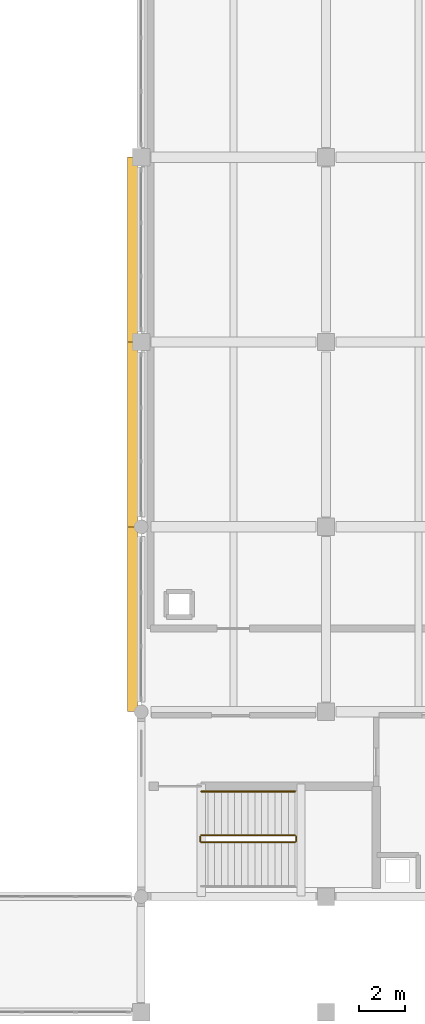
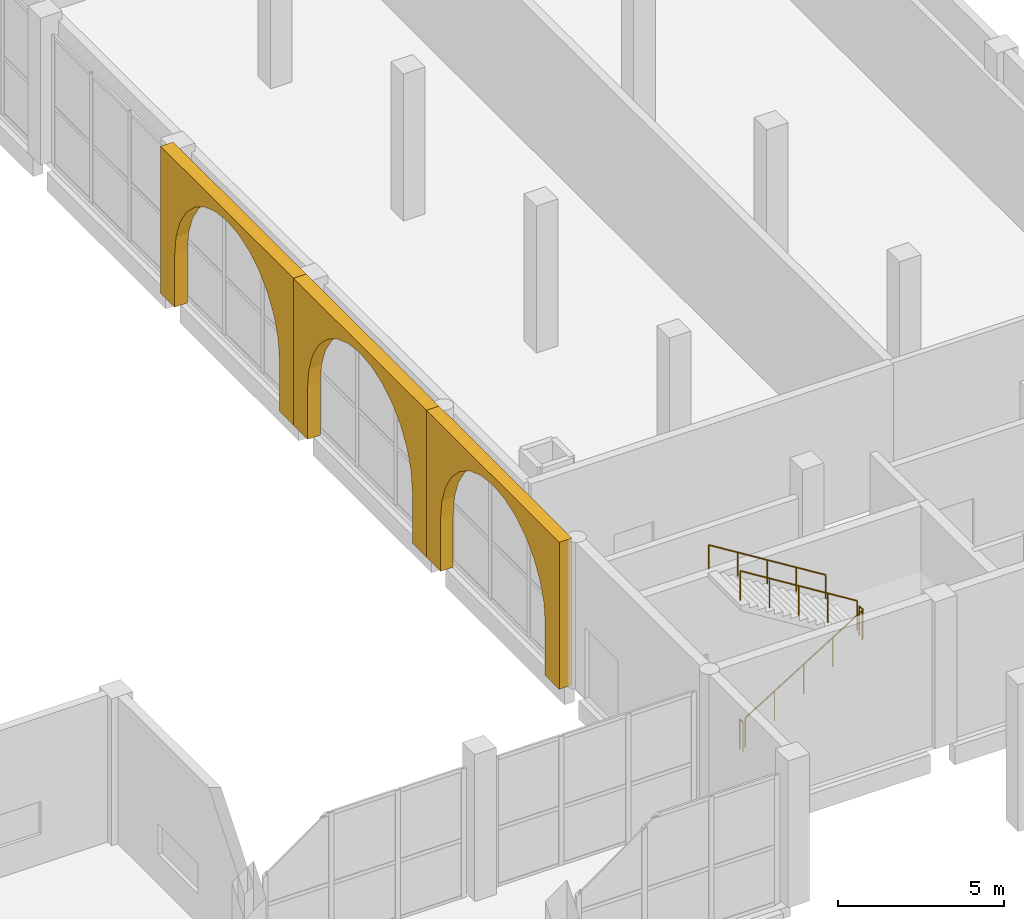
# One storey, part 37 of 40: 5 railings, 3 coverings.
"""IFC4 building model written with IfcOpenShell, lengths in metres."""

from ifc_helpers import new_model, si_unit, direction, frame, origin, origin_2d, place, context, subcontext, project, spatial, polyline, circle, outline, extrude, material, layer, layer_set, type_object, element, save


model = new_model("IFC4")

# Units and contexts
model_context = context("Model", 3, precision=1e-05, world=origin(), true_north=direction((0.0, 1.0)))
body_context = subcontext(model_context, "Body", "Model", "MODEL_VIEW")
ifc_project = project(units=[si_unit("LENGTHUNIT", "METRE"), si_unit("AREAUNIT", "SQUARE_METRE"), si_unit("VOLUMEUNIT", "CUBIC_METRE"), si_unit("PLANEANGLEUNIT", "RADIAN"), si_unit("MASSUNIT", "GRAM", prefix="KILO")], contexts=[model_context])

# Site, building, storey
site_placement = place(None, origin())
site = spatial("IfcSite", under=ifc_project, at=site_placement, CompositionType="ELEMENT")
building_placement = place(site_placement, origin())
building = spatial("IfcBuilding", under=site, at=building_placement, Name="Qorikala Patio Media Centre", CompositionType="ELEMENT")
storey_placement = place(building_placement, origin())
storey = spatial("IfcBuildingStorey", under=building, at=storey_placement, Name="L00", CompositionType="ELEMENT", Elevation=0.0)

# Coverings
ifc_material_1 = material(Name="Comanche Granite Ashlar Stone", Category="masonry")
ifc_layer = layer(ifc_material_1, 0.06005859375)
ifc_layer_set = layer_set([ifc_layer], Name="Comanche Granite Ashlar Stone")
covering_type = type_object("IfcCoveringType", Name="COV-CLAD-STONE", PredefinedType="CLADDING", material=ifc_layer_set)
for number, where, z_axis, x_axis, name in (
    (1, (50.6201171875, 72.0, 0.0), (0.0, 0.0, 1.0), (0.0, 1.0, 0.0), "Spanish Colonial Stone Arched Arcade PORT-P7"),
    (2, (50.6201171875, 80.0, 0.0), (0.0, 0.0, 1.0), (0.0, 1.0, 0.0), "Spanish Colonial Stone Arched Arcade PORT-P8"),
    (3, (50.6201171875, 88.0, 0.0), (0.0, 0.0, 1.0), (0.0, 1.0, 0.0), "Spanish Colonial Stone Arched Arcade PORT-P9"),
):
    element("IfcCovering", number, at=place(storey_placement, frame(where, z_axis=z_axis, x_axis=x_axis)), inside=storey, type_object=covering_type, Name=name, PredefinedType="CLADDING", context=body_context, shape_type="SweptSolid", body=[
        extrude(outline(polyline([(0.0, 0.0), (0.85009765625, 0.0), (0.85009765625, 1.929931640625), (0.928955078125, 2.630859375), (1.161865234375, 3.296630859375), (1.537109375, 3.893798828125), (2.035888671875, 4.392578125), (2.63330078125, 4.76806640625), (3.299072265625, 5.0009765625), (4.0, 5.079833984375), (4.700927734375, 5.0009765625), (5.36669921875, 4.76806640625), (5.964111328125, 4.392578125), (6.462890625, 3.893798828125), (6.838134765625, 3.296630859375), (7.071044921875, 2.630859375), (7.14990234375, 1.929931640625), (7.14990234375, 0.0), (8.0, 0.0), (8.0, 5.39990234375), (0.0, 5.39990234375), (0.0, 0.0)])), frame((0.0, 0.219970703125, 0.0), z_axis=(0.0, -1.0, 0.0), x_axis=(1.0, 0.0, 0.0)), (0.0, 0.0, 1.0), 0.43994140625),
    ])

# Railings
ifc_material_2 = material(Name="Wrought Bronze and Steel S355", Category="steel")
railing_type_1 = type_object("IfcRailingType", Name="RL-GUARD-110", PredefinedType="GUARDRAIL", material=ifc_material_2)
railing_1_placement = place(storey_placement, frame((53.60009765625, 66.35009765625, 0.179931640625)))
element("IfcRailing", 4, at=railing_1_placement, inside=storey, type_object=railing_type_1, Name="L00 ST-6 stair guard 1", PredefinedType="GUARDRAIL", context=body_context, shape_type="SweptSolid", body=[
    extrude(circle(Radius=0.02392578125, at=origin_2d()), frame((0.0, 0.0, 1.076171875), z_axis=(0.849627535208, 0.0, 0.527383211162), x_axis=(0.0, 1.0, 0.0)), (0.0, 0.0, 1.0), 4.7783203125),
    extrude(circle(Radius=0.02099609375, at=origin_2d()), origin(), (0.0, 0.0, 1.0), 1.052001953125),
    extrude(circle(Radius=0.02099609375, at=origin_2d()), frame((1.014892578125, 0.0, 0.6298828125)), (0.0, 0.0, 1.0), 1.052001953125),
    extrude(circle(Radius=0.02099609375, at=origin_2d()), frame((2.02978515625, 0.0, 1.260009765625)), (0.0, 0.0, 1.0), 1.052001953125),
    extrude(circle(Radius=0.02099609375, at=origin_2d()), frame((3.044921875, 0.0, 1.89013671875)), (0.0, 0.0, 1.0), 1.052001953125),
    extrude(circle(Radius=0.02099609375, at=origin_2d()), frame((4.059814453125, 0.0, 2.52001953125)), (0.0, 0.0, 1.0), 1.052001953125),
])
railing_2_placement = place(storey_placement, frame((57.7099609375, 66.39990234375, 2.699951171875)))
element("IfcRailing", 5, at=railing_2_placement, inside=storey, type_object=railing_type_1, Name="L00 ST-6 stair guard 2", PredefinedType="GUARDRAIL", context=body_context, shape_type="SweptSolid", body=[
    extrude(circle(Radius=0.02392578125, at=origin_2d()), frame((0.0, 0.0, 1.076171875), z_axis=(0.0, 1.0, 0.0), x_axis=(-1.0, 0.0, 0.0)), (0.0, 0.0, 1.0), 0.2001953125),
    extrude(circle(Radius=0.02099609375, at=origin_2d()), origin(), (0.0, 0.0, 1.0), 1.052001953125),
    extrude(circle(Radius=0.02099609375, at=origin_2d()), frame((0.0, 0.2001953125, 0.0)), (0.0, 0.0, 1.0), 1.052001953125),
])
railing_3_placement = place(storey_placement, frame((57.659912109375, 66.64990234375, 2.8798828125)))
element("IfcRailing", 6, at=railing_3_placement, inside=storey, type_object=railing_type_1, Name="L00 ST-6 stair guard 3", PredefinedType="GUARDRAIL", context=body_context, shape_type="SweptSolid", body=[
    extrude(circle(Radius=0.02392578125, at=origin_2d()), frame((0.0, 0.0, 1.076171875), z_axis=(-0.849627535208, 0.0, 0.527383211162), x_axis=(0.0, -1.0, 0.0)), (0.0, 0.0, 1.0), 4.7783203125),
    extrude(circle(Radius=0.02099609375, at=origin_2d()), origin(), (0.0, 0.0, 1.0), 1.052001953125),
    extrude(circle(Radius=0.02099609375, at=origin_2d()), frame((-1.014892578125, 0.0, 0.6298828125)), (0.0, 0.0, 1.0), 1.052001953125),
    extrude(circle(Radius=0.02099609375, at=origin_2d()), frame((-2.02978515625, 0.0, 1.260009765625)), (0.0, 0.0, 1.0), 1.052001953125),
    extrude(circle(Radius=0.02099609375, at=origin_2d()), frame((-3.044921875, 0.0, 1.89013671875)), (0.0, 0.0, 1.0), 1.052001953125),
    extrude(circle(Radius=0.02099609375, at=origin_2d()), frame((-4.059814453125, 0.0, 2.52001953125)), (0.0, 0.0, 1.0), 1.052001953125),
])
railing_4_placement = place(storey_placement, frame((53.550048828125, 66.39990234375, 0.0)))
element("IfcRailing", 7, at=railing_4_placement, inside=storey, type_object=railing_type_1, Name="L00 ST-6 stair guard 4", PredefinedType="GUARDRAIL", context=body_context, shape_type="SweptSolid", body=[
    extrude(circle(Radius=0.02392578125, at=origin_2d()), frame((0.0, 0.0, 1.076171875), z_axis=(0.0, 1.0, 0.0), x_axis=(-1.0, 0.0, 0.0)), (0.0, 0.0, 1.0), 0.2001953125),
    extrude(circle(Radius=0.02099609375, at=origin_2d()), origin(), (0.0, 0.0, 1.0), 1.052001953125),
    extrude(circle(Radius=0.02099609375, at=origin_2d()), frame((0.0, 0.2001953125, 0.0)), (0.0, 0.0, 1.0), 1.052001953125),
])
ifc_material_3 = material(Name="Brushed Bronze Tubular Steel S355", Category="steel")
railing_type_2 = type_object("IfcRailingType", Name="RL-HAND-090", PredefinedType="HANDRAIL", material=ifc_material_3)
railing_5_placement = place(storey_placement, frame((57.659912109375, 68.550048828125, 2.8798828125)))
element("IfcRailing", 8, at=railing_5_placement, inside=storey, type_object=railing_type_2, Name="L00 ST-6 stair handrail 2", PredefinedType="HANDRAIL", context=body_context, shape_type="SweptSolid", body=[
    extrude(circle(Radius=0.02392578125, at=origin_2d()), frame((0.0, 0.0, 0.8759765625), z_axis=(-0.849627535208, 0.0, 0.527383211162), x_axis=(0.0, -1.0, 0.0)), (0.0, 0.0, 1.0), 4.7783203125),
    extrude(circle(Radius=0.02099609375, at=origin_2d()), origin(), (0.0, 0.0, 1.0), 0.851806640625),
    extrude(circle(Radius=0.02099609375, at=origin_2d()), frame((-1.014892578125, 0.0, 0.6298828125)), (0.0, 0.0, 1.0), 0.851806640625),
    extrude(circle(Radius=0.02099609375, at=origin_2d()), frame((-2.02978515625, 0.0, 1.260009765625)), (0.0, 0.0, 1.0), 0.851806640625),
    extrude(circle(Radius=0.02099609375, at=origin_2d()), frame((-3.044921875, 0.0, 1.89013671875)), (0.0, 0.0, 1.0), 0.851806640625),
    extrude(circle(Radius=0.02099609375, at=origin_2d()), frame((-4.059814453125, 0.0, 2.52001953125)), (0.0, 0.0, 1.0), 0.851806640625),
])

save(model, "model.ifc")
